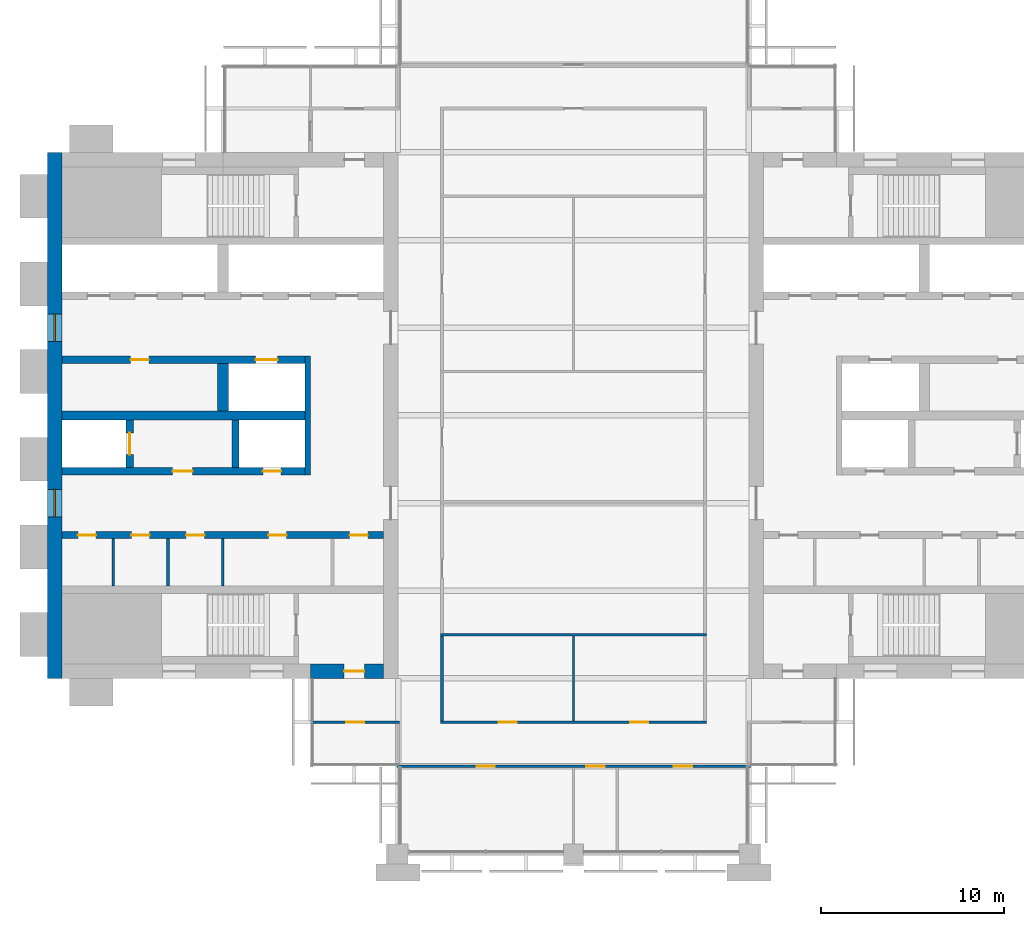
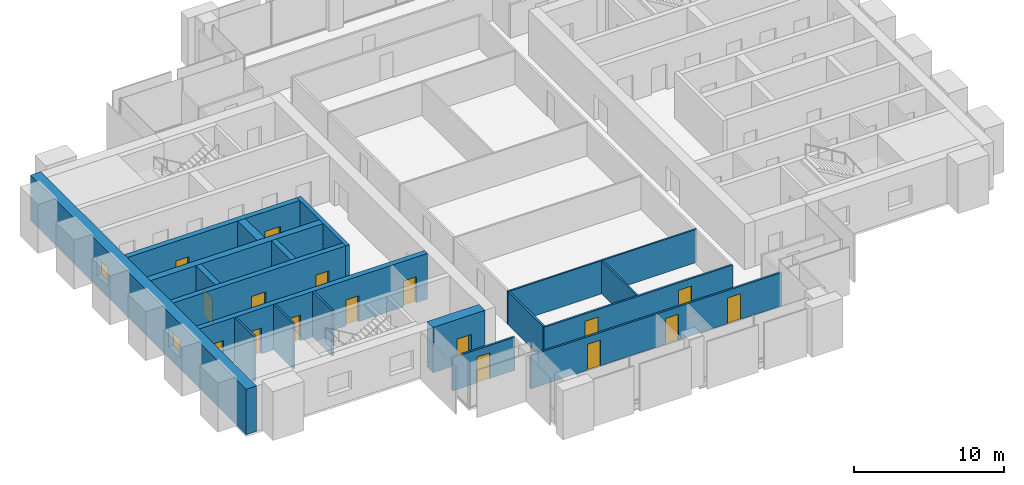
# One storey, part 8 of 13: 19 walls, 17 doors, 2 windows, 19 openings.
"""IFC4 building model written with IfcOpenShell, lengths in metres."""

from ifc_helpers import new_model, si_unit, direction, frame, frame_2d, origin, place, context, subcontext, project, spatial, rectangle, extrude, material, layer, layer_set, type_object, element, fill, save


model = new_model("IFC4")

# Units and contexts
model_context = context("Model", 3, precision=1e-05, world=origin(), true_north=direction((0.0, 1.0)))
body_context = subcontext(model_context, "Body", "Model", "MODEL_VIEW")
ifc_project = project(units=[si_unit("LENGTHUNIT", "METRE"), si_unit("AREAUNIT", "SQUARE_METRE"), si_unit("VOLUMEUNIT", "CUBIC_METRE"), si_unit("PLANEANGLEUNIT", "RADIAN"), si_unit("MASSUNIT", "GRAM", prefix="KILO")], contexts=[model_context])

# Site, building, storey
site_placement = place(None, origin())
site = spatial("IfcSite", under=ifc_project, at=site_placement, CompositionType="ELEMENT")
building_placement = place(site_placement, origin())
building = spatial("IfcBuilding", under=site, at=building_placement, Name="Baori Bourse Tower", CompositionType="ELEMENT")
storey_placement = place(building_placement, frame((0.0, 0.0, 261.199951171875)))
storey = spatial("IfcBuildingStorey", under=building, at=storey_placement, Name="L58", CompositionType="ELEMENT", Elevation=261.199951171875)

# Walls
ifc_material_1 = material(Name="Blockwork partition", Category="masonry")
ifc_layer_1 = layer(ifc_material_1, 0.14990234375)
ifc_layer_set_1 = layer_set([ifc_layer_1], Name="Core partition 150")
wall_type_1 = type_object("IfcWallType", Name="Core partition 150", PredefinedType="PARTITIONING", material=ifc_layer_set_1)
for number, where, z_axis, x_axis, name in (
    (1, (3.60009765625, 14.64990234375, 0.0), (0.0, 0.0, 1.0), (0.0, 1.0, 0.0), "Partition wall W09"),
    (2, (6.60009765625, 14.64990234375, 0.0), (0.0, 0.0, 1.0), (0.0, 1.0, 0.0), "Partition wall W10"),
    (3, (9.60009765625, 14.64990234375, 0.0), (0.0, 0.0, 1.0), (0.0, 1.0, 0.0), "Partition wall W11"),
):
    element("IfcWall", number, at=place(storey_placement, frame(where, z_axis=z_axis, x_axis=x_axis)), inside=storey, type_object=wall_type_1, Name=name, PredefinedType="PARTITIONING", context=body_context, shape_type="SweptSolid", body=[
        extrude(rectangle(XDim=2.60009765625, YDim=0.14990234375, at=frame_2d((1.300048828125, 0.0))), origin(), (0.0, 0.0, 1.0), 3.699951171875),
    ])

# Wall, openings, windows
ifc_material_2 = material(Name="Concrete f'c 50 MPa", Category="concrete")
ifc_layer_2 = layer(ifc_material_2, 0.800048828125)
ifc_layer_set_2 = layer_set([ifc_layer_2], Name="Core wall 800 f'c 50")
wall_type_2 = type_object("IfcWallType", Name="Core wall 800 f'c 50", PredefinedType="SHEAR", material=ifc_layer_set_2)
wall_1_placement = place(storey_placement, frame((0.39990234375, 9.60009765625, 0.0), z_axis=(0.0, 0.0, 1.0), x_axis=(0.0, 1.0, 0.0)))
wall_1 = element("IfcWall", 4, at=wall_1_placement, inside=storey, type_object=wall_type_2, Name="Core wall W01", PredefinedType="SHEAR", context=body_context, shape_type="SweptSolid", body=[
    extrude(rectangle(XDim=28.7998046875, YDim=0.800048828125, at=frame_2d((14.39990234375, 0.0))), origin(), (0.0, 0.0, 1.0), 3.699951171875),
])
opening_1_placement = place(wall_1_placement, frame((8.85009765625, 0.0, 0.89990234375)))
opening_1 = element("IfcOpeningElement", 5, at=opening_1_placement, cuts=wall_1, Name="Opening L58-KW101", PredefinedType="OPENING", context=body_context, shape_type="SweptSolid", body=[
    extrude(rectangle(XDim=1.5, YDim=1.5, at=frame_2d((0.75, 0.75))), frame((0.0, 0.409912109375, 0.0), z_axis=(0.0, -1.0, 0.0), x_axis=(1.0, 0.0, 0.0)), (0.0, 0.0, 1.0), 0.820068359375),
])
opening_2_placement = place(wall_1_placement, frame((18.449951171875, 0.0, 0.89990234375)))
opening_2 = element("IfcOpeningElement", 6, at=opening_2_placement, cuts=wall_1, Name="Opening L58-KW102", PredefinedType="OPENING", context=body_context, shape_type="SweptSolid", body=[
    extrude(rectangle(XDim=1.5, YDim=1.5, at=frame_2d((0.75, 0.75))), frame((0.0, 0.409912109375, 0.0), z_axis=(0.0, -1.0, 0.0), x_axis=(1.0, 0.0, 0.0)), (0.0, 0.0, 1.0), 0.820068359375),
])
ifc_material_3 = material(Name="Pale anodised aluminium", Category="aluminium")
window_type = type_object("IfcWindowType", Name="Lobby window 1500 x 1500", PartitioningType="SINGLE_PANEL", PredefinedType="WINDOW", material=ifc_material_3)
window_1_placement = place(opening_1_placement, origin())
window_1 = element("IfcWindow", 7, at=window_1_placement, inside=storey, type_object=window_type, Name="Outer wall window W L58 1", OverallHeight=1.5, OverallWidth=1.5, PartitioningType="SINGLE_PANEL", PredefinedType="WINDOW", context=body_context, shape_type="SweptSolid", body=[
    extrude(rectangle(XDim=1.5, YDim=1.5, at=frame_2d((0.75, 0.75))), frame((0.0, 0.030029296875, 0.0), z_axis=(0.0, -1.0, 0.0), x_axis=(1.0, 0.0, 0.0)), (0.0, 0.0, 1.0), 0.06005859375),
])
fill(opening_1, window_1)
window_2_placement = place(opening_2_placement, origin())
window_2 = element("IfcWindow", 8, at=window_2_placement, inside=storey, type_object=window_type, Name="Outer wall window W L58 2", OverallHeight=1.5, OverallWidth=1.5, PartitioningType="SINGLE_PANEL", PredefinedType="WINDOW", context=body_context, shape_type="SweptSolid", body=[
    extrude(rectangle(XDim=1.5, YDim=1.5, at=frame_2d((0.75, 0.75))), frame((0.0, 0.030029296875, 0.0), z_axis=(0.0, -1.0, 0.0), x_axis=(1.0, 0.0, 0.0)), (0.0, 0.0, 1.0), 0.06005859375),
])
fill(opening_2, window_2)

# Wall, opening, door
wall_2_placement = place(storey_placement, frame((18.39990234375, 10.0, 0.0), z_axis=(0.0, 0.0, 1.0), x_axis=(-1.0, 0.0, 0.0)))
wall_2 = element("IfcWall", 9, at=wall_2_placement, inside=storey, type_object=wall_type_2, Name="Core wall W03", PredefinedType="SHEAR", context=body_context, shape_type="SweptSolid", body=[
    extrude(rectangle(XDim=4.0, YDim=0.800048828125, at=frame_2d((2.0, 0.0))), origin(), (0.0, 0.0, 1.0), 3.699951171875),
])
opening_3_placement = place(wall_2_placement, frame((1.050048828125, 0.0, 0.0)))
opening_3 = element("IfcOpeningElement", 10, at=opening_3_placement, cuts=wall_2, Name="Opening L58-D102", PredefinedType="OPENING", context=body_context, shape_type="SweptSolid", body=[
    extrude(rectangle(XDim=1.10009765625, YDim=2.10009765625, at=frame_2d((0.550048828125, 1.050048828125))), frame((0.0, 0.409912109375, 0.0), z_axis=(0.0, -1.0, 0.0), x_axis=(1.0, 0.0, 0.0)), (0.0, 0.0, 1.0), 0.820068359375),
])
ifc_material_4 = material(Name="Painted steel door", Category="steel")
door_type_1 = type_object("IfcDoorType", Name="Stair door 1100", OperationType="SINGLE_SWING_LEFT", PredefinedType="DOOR", material=ifc_material_4)
door_1_placement = place(opening_3_placement, origin())
door_1 = element("IfcDoor", 11, at=door_1_placement, inside=storey, type_object=door_type_1, Name="Stair vestibule door A W L58", OperationType="SINGLE_SWING_LEFT", OverallHeight=2.10009765625, OverallWidth=1.10009765625, PredefinedType="DOOR", context=body_context, shape_type="SweptSolid", body=[
    extrude(rectangle(XDim=1.10009765625, YDim=2.10009765625, at=frame_2d((0.550048828125, 1.050048828125))), frame((0.0, 0.02490234375, 0.0), z_axis=(0.0, -1.0, 0.0), x_axis=(1.0, 0.0, 0.0)), (0.0, 0.0, 1.0), 0.050048828125),
])
fill(opening_3, door_1)

# Wall, openings, doors
ifc_material_5 = material(Name="Gypsum board partition")
ifc_layer_3 = layer(ifc_material_5, 0.14990234375)
ifc_layer_set_3 = layer_set([ifc_layer_3], Name="Corridor partition 150")
wall_type_3 = type_object("IfcWallType", Name="Corridor partition 150", PredefinedType="PARTITIONING", material=ifc_layer_set_3)
wall_3_placement = place(storey_placement, frame((19.125, 4.800048828125, 0.0), z_axis=(0.0, 0.0, 1.0), x_axis=(1.0, 0.0, 0.0)))
wall_3 = element("IfcWall", 12, at=wall_3_placement, inside=storey, type_object=wall_type_3, Name="Partition", PredefinedType="PARTITIONING", context=body_context, shape_type="SweptSolid", body=[
    extrude(rectangle(XDim=19.35009765625, YDim=0.14990234375, at=frame_2d((9.675048828125, 0.0))), origin(), (0.0, 0.0, 1.0), 2.70947265625),
])
opening_4_placement = place(wall_3_placement, frame((4.375, 0.0, 0.0)))
opening_4 = element("IfcOpeningElement", 13, at=opening_4_placement, cuts=wall_3, Name="Opening L58-D01", PredefinedType="OPENING", context=body_context, shape_type="SweptSolid", body=[
    extrude(rectangle(XDim=1.0, YDim=2.10009765625, at=frame_2d((0.5, 1.050048828125))), frame((0.0, 0.0849609375, 0.0), z_axis=(0.0, -1.0, 0.0), x_axis=(1.0, 0.0, 0.0)), (0.0, 0.0, 1.0), 0.169921875),
])
opening_5_placement = place(wall_3_placement, frame((10.375, 0.0, 0.0)))
opening_5 = element("IfcOpeningElement", 14, at=opening_5_placement, cuts=wall_3, Name="Opening L58-D02", PredefinedType="OPENING", context=body_context, shape_type="SweptSolid", body=[
    extrude(rectangle(XDim=1.0, YDim=2.10009765625, at=frame_2d((0.5, 1.050048828125))), frame((0.0, 0.0849609375, 0.0), z_axis=(0.0, -1.0, 0.0), x_axis=(1.0, 0.0, 0.0)), (0.0, 0.0, 1.0), 0.169921875),
])
opening_6_placement = place(wall_3_placement, frame((15.175048828125, 0.0, 0.0)))
opening_6 = element("IfcOpeningElement", 15, at=opening_6_placement, cuts=wall_3, Name="Opening L58-D03", PredefinedType="OPENING", context=body_context, shape_type="SweptSolid", body=[
    extrude(rectangle(XDim=1.0, YDim=2.10009765625, at=frame_2d((0.5, 1.050048828125))), frame((0.0, 0.0849609375, 0.0), z_axis=(0.0, -1.0, 0.0), x_axis=(1.0, 0.0, 0.0)), (0.0, 0.0, 1.0), 0.169921875),
])
ifc_material_6 = material(Name="Timber door leaf", Category="wood")
door_type_2 = type_object("IfcDoorType", Name="Door 1000 x 2100", OperationType="SINGLE_SWING_LEFT", PredefinedType="DOOR", material=ifc_material_6)
door_2_placement = place(opening_4_placement, origin())
door_2 = element("IfcDoor", 16, at=door_2_placement, inside=storey, type_object=door_type_2, Name="Door", OperationType="SINGLE_SWING_LEFT", OverallHeight=2.10009765625, OverallWidth=1.0, PredefinedType="DOOR", context=body_context, shape_type="SweptSolid", body=[
    extrude(rectangle(XDim=1.0, YDim=2.10009765625, at=frame_2d((0.5, 1.050048828125))), frame((0.0, 0.02490234375, 0.0), z_axis=(0.0, -1.0, 0.0), x_axis=(1.0, 0.0, 0.0)), (0.0, 0.0, 1.0), 0.050048828125),
])
fill(opening_4, door_2)
door_3_placement = place(opening_5_placement, origin())
door_3 = element("IfcDoor", 17, at=door_3_placement, inside=storey, type_object=door_type_2, Name="Door", OperationType="SINGLE_SWING_RIGHT", OverallHeight=2.10009765625, OverallWidth=1.0, PredefinedType="DOOR", context=body_context, shape_type="SweptSolid", body=[
    extrude(rectangle(XDim=1.0, YDim=2.10009765625, at=frame_2d((0.5, 1.050048828125))), frame((0.0, 0.02490234375, 0.0), z_axis=(0.0, -1.0, 0.0), x_axis=(1.0, 0.0, 0.0)), (0.0, 0.0, 1.0), 0.050048828125),
])
fill(opening_5, door_3)
door_4_placement = place(opening_6_placement, origin())
door_4 = element("IfcDoor", 18, at=door_4_placement, inside=storey, type_object=door_type_2, Name="Door", OperationType="SINGLE_SWING_RIGHT", OverallHeight=2.10009765625, OverallWidth=1.0, PredefinedType="DOOR", context=body_context, shape_type="SweptSolid", body=[
    extrude(rectangle(XDim=1.0, YDim=2.10009765625, at=frame_2d((0.5, 1.050048828125))), frame((0.0, 0.02490234375, 0.0), z_axis=(0.0, -1.0, 0.0), x_axis=(1.0, 0.0, 0.0)), (0.0, 0.0, 1.0), 0.050048828125),
])
fill(opening_6, door_4)

# Wall, opening, door
wall_4_placement = place(storey_placement, frame((14.5, 7.199951171875, 0.0), z_axis=(0.0, 0.0, 1.0), x_axis=(1.0, 0.0, 0.0)))
wall_4 = element("IfcWall", 19, at=wall_4_placement, inside=storey, type_object=wall_type_3, Name="Partition", PredefinedType="PARTITIONING", context=body_context, shape_type="SweptSolid", body=[
    extrude(rectangle(XDim=4.77490234375, YDim=0.14990234375, at=frame_2d((2.387451171875, 0.0))), origin(), (0.0, 0.0, 1.0), 2.70947265625),
])
opening_7_placement = place(wall_4_placement, frame((1.85009765625, 0.0, 0.0)))
opening_7 = element("IfcOpeningElement", 20, at=opening_7_placement, cuts=wall_4, Name="Opening L58-D04", PredefinedType="OPENING", context=body_context, shape_type="SweptSolid", body=[
    extrude(rectangle(XDim=1.0, YDim=2.10009765625, at=frame_2d((0.5, 1.050048828125))), frame((0.0, 0.0849609375, 0.0), z_axis=(0.0, -1.0, 0.0), x_axis=(1.0, 0.0, 0.0)), (0.0, 0.0, 1.0), 0.169921875),
])
door_5_placement = place(opening_7_placement, origin())
door_5 = element("IfcDoor", 21, at=door_5_placement, inside=storey, type_object=door_type_2, Name="Door", OperationType="SINGLE_SWING_LEFT", OverallHeight=2.10009765625, OverallWidth=1.0, PredefinedType="DOOR", context=body_context, shape_type="SweptSolid", body=[
    extrude(rectangle(XDim=1.0, YDim=2.10009765625, at=frame_2d((0.5, 1.050048828125))), frame((0.0, 0.02490234375, 0.0), z_axis=(0.0, -1.0, 0.0), x_axis=(1.0, 0.0, 0.0)), (0.0, 0.0, 1.0), 0.050048828125),
])
fill(opening_7, door_5)

# Wall, openings, doors
wall_5_placement = place(storey_placement, frame((21.52490234375, 7.199951171875, 0.0), z_axis=(0.0, 0.0, 1.0), x_axis=(1.0, 0.0, 0.0)))
wall_5 = element("IfcWall", 22, at=wall_5_placement, inside=storey, type_object=wall_type_3, Name="Partition", PredefinedType="PARTITIONING", context=body_context, shape_type="SweptSolid", body=[
    extrude(rectangle(XDim=14.550048828125, YDim=0.14990234375, at=frame_2d((7.27490234375, 0.0))), origin(), (0.0, 0.0, 1.0), 2.70947265625),
])
opening_8_placement = place(wall_5_placement, frame((3.175048828125, 0.0, 0.0)))
opening_8 = element("IfcOpeningElement", 23, at=opening_8_placement, cuts=wall_5, Name="Opening L58-D05", PredefinedType="OPENING", context=body_context, shape_type="SweptSolid", body=[
    extrude(rectangle(XDim=1.0, YDim=2.10009765625, at=frame_2d((0.5, 1.050048828125))), frame((0.0, 0.0849609375, 0.0), z_axis=(0.0, -1.0, 0.0), x_axis=(1.0, 0.0, 0.0)), (0.0, 0.0, 1.0), 0.169921875),
])
opening_9_placement = place(wall_5_placement, frame((10.375, 0.0, 0.0)))
opening_9 = element("IfcOpeningElement", 24, at=opening_9_placement, cuts=wall_5, Name="Opening L58-D06", PredefinedType="OPENING", context=body_context, shape_type="SweptSolid", body=[
    extrude(rectangle(XDim=1.0, YDim=2.10009765625, at=frame_2d((0.5, 1.050048828125))), frame((0.0, 0.0849609375, 0.0), z_axis=(0.0, -1.0, 0.0), x_axis=(1.0, 0.0, 0.0)), (0.0, 0.0, 1.0), 0.169921875),
])
door_6_placement = place(opening_8_placement, origin())
door_6 = element("IfcDoor", 25, at=door_6_placement, inside=storey, type_object=door_type_2, Name="Door", OperationType="SINGLE_SWING_RIGHT", OverallHeight=2.10009765625, OverallWidth=1.0, PredefinedType="DOOR", context=body_context, shape_type="SweptSolid", body=[
    extrude(rectangle(XDim=1.0, YDim=2.10009765625, at=frame_2d((0.5, 1.050048828125))), frame((0.0, 0.02490234375, 0.0), z_axis=(0.0, -1.0, 0.0), x_axis=(1.0, 0.0, 0.0)), (0.0, 0.0, 1.0), 0.050048828125),
])
fill(opening_8, door_6)
door_7_placement = place(opening_9_placement, origin())
door_7 = element("IfcDoor", 26, at=door_7_placement, inside=storey, type_object=door_type_2, Name="Door", OperationType="SINGLE_SWING_LEFT", OverallHeight=2.10009765625, OverallWidth=1.0, PredefinedType="DOOR", context=body_context, shape_type="SweptSolid", body=[
    extrude(rectangle(XDim=1.0, YDim=2.10009765625, at=frame_2d((0.5, 1.050048828125))), frame((0.0, 0.02490234375, 0.0), z_axis=(0.0, -1.0, 0.0), x_axis=(1.0, 0.0, 0.0)), (0.0, 0.0, 1.0), 0.050048828125),
])
fill(opening_9, door_7)

# Walls
wall_6_placement = place(storey_placement, frame((21.60009765625, 7.27490234375, 0.0), z_axis=(0.0, 0.0, 1.0), x_axis=(0.0, 1.0, 0.0)))
element("IfcWall", 27, at=wall_6_placement, inside=storey, type_object=wall_type_3, Name="Partition", PredefinedType="PARTITIONING", context=body_context, shape_type="SweptSolid", body=[
    extrude(rectangle(XDim=4.66259765625, YDim=0.14990234375, at=frame_2d((2.331298828125, 0.0))), origin(), (0.0, 0.0, 1.0), 2.70947265625),
])
ifc_material_7 = material(Name="Gypsum board partition")
ifc_layer_4 = layer(ifc_material_7, 0.125)
ifc_layer_set_4 = layer_set([ifc_layer_4], Name="Partition 125")
wall_type_4 = type_object("IfcWallType", Name="Partition 125", PredefinedType="PARTITIONING", material=ifc_layer_set_4)
wall_7_placement = place(storey_placement, frame((21.52490234375, 12.0, 0.0), z_axis=(0.0, 0.0, 1.0), x_axis=(1.0, 0.0, 0.0)))
element("IfcWall", 28, at=wall_7_placement, inside=storey, type_object=wall_type_4, Name="Partition", PredefinedType="PARTITIONING", context=body_context, shape_type="SweptSolid", body=[
    extrude(rectangle(XDim=14.550048828125, YDim=0.125, at=frame_2d((7.27490234375, 0.0))), origin(), (0.0, 0.0, 1.0), 2.70947265625),
])
wall_8_placement = place(storey_placement, frame((28.800048828125, 7.27490234375, 0.0), z_axis=(0.0, 0.0, 1.0), x_axis=(0.0, 1.0, 0.0)))
element("IfcWall", 29, at=wall_8_placement, inside=storey, type_object=wall_type_4, Name="Partition", PredefinedType="PARTITIONING", context=body_context, shape_type="SweptSolid", body=[
    extrude(rectangle(XDim=4.66259765625, YDim=0.125, at=frame_2d((2.331298828125, 0.0))), origin(), (0.0, 0.0, 1.0), 2.70947265625),
])
ifc_material_8 = material(Name="Concrete f'c 50 MPa", Category="concrete")
ifc_layer_5 = layer(ifc_material_8, 0.300048828125)
ifc_layer_set_5 = layer_set([ifc_layer_5], Name="Shaft wall 300 f'c 50")
wall_type_5 = type_object("IfcWallType", Name="Shaft wall 300 f'c 50", PredefinedType="SHEAR", material=ifc_layer_set_5)
wall_9_placement = place(storey_placement, frame((14.25, 20.75, 0.0), z_axis=(0.0, 0.0, 1.0), x_axis=(0.0, 1.0, 0.0)))
element("IfcWall", 30, at=wall_9_placement, inside=storey, type_object=wall_type_5, Name="Core wall W15", PredefinedType="SHEAR", context=body_context, shape_type="SweptSolid", body=[
    extrude(rectangle(XDim=6.5, YDim=0.300048828125, at=frame_2d((3.25, 0.0))), origin(), (0.0, 0.0, 1.0), 3.699951171875),
])

# Wall, openings, doors
ifc_material_9 = material(Name="Concrete f'c 50 MPa", Category="concrete")
ifc_layer_6 = layer(ifc_material_9, 0.39990234375)
ifc_layer_set_6 = layer_set([ifc_layer_6], Name="Shaft wall 400 f'c 50")
wall_type_6 = type_object("IfcWallType", Name="Shaft wall 400 f'c 50", PredefinedType="SHEAR", material=ifc_layer_set_6)
wall_10_placement = place(storey_placement, frame((0.800048828125, 17.449951171875, 0.0), z_axis=(0.0, 0.0, 1.0), x_axis=(1.0, 0.0, 0.0)))
wall_10 = element("IfcWall", 31, at=wall_10_placement, inside=storey, type_object=wall_type_6, Name="Core wall W13", PredefinedType="SHEAR", context=body_context, shape_type="SweptSolid", body=[
    extrude(rectangle(XDim=17.599853515625, YDim=0.39990234375, at=frame_2d((8.7998046875, 0.0))), origin(), (0.0, 0.0, 1.0), 3.699951171875),
])
opening_10_placement = place(wall_10_placement, frame((0.862548828125, 0.0, 0.0)))
opening_10 = element("IfcOpeningElement", 32, at=opening_10_placement, cuts=wall_10, Name="Opening L58-D109", PredefinedType="OPENING", context=body_context, shape_type="SweptSolid", body=[
    extrude(rectangle(XDim=1.0, YDim=2.10009765625, at=frame_2d((0.5, 1.050048828125))), frame((0.0, 0.2099609375, 0.0), z_axis=(0.0, -1.0, 0.0), x_axis=(1.0, 0.0, 0.0)), (0.0, 0.0, 1.0), 0.419921875),
])
opening_11_placement = place(wall_10_placement, frame((3.800048828125, 0.0, 0.0)))
opening_11 = element("IfcOpeningElement", 33, at=opening_11_placement, cuts=wall_10, Name="Opening L58-D110", PredefinedType="OPENING", context=body_context, shape_type="SweptSolid", body=[
    extrude(rectangle(XDim=1.0, YDim=2.10009765625, at=frame_2d((0.5, 1.050048828125))), frame((0.0, 0.2099609375, 0.0), z_axis=(0.0, -1.0, 0.0), x_axis=(1.0, 0.0, 0.0)), (0.0, 0.0, 1.0), 0.419921875),
])
opening_12_placement = place(wall_10_placement, frame((6.800048828125, 0.0, 0.0)))
opening_12 = element("IfcOpeningElement", 34, at=opening_12_placement, cuts=wall_10, Name="Opening L58-D111", PredefinedType="OPENING", context=body_context, shape_type="SweptSolid", body=[
    extrude(rectangle(XDim=1.0, YDim=2.10009765625, at=frame_2d((0.5, 1.050048828125))), frame((0.0, 0.2099609375, 0.0), z_axis=(0.0, -1.0, 0.0), x_axis=(1.0, 0.0, 0.0)), (0.0, 0.0, 1.0), 0.419921875),
])
opening_13_placement = place(wall_10_placement, frame((11.300048828125, 0.0, 0.0)))
opening_13 = element("IfcOpeningElement", 35, at=opening_13_placement, cuts=wall_10, Name="Opening L58-D112", PredefinedType="OPENING", context=body_context, shape_type="SweptSolid", body=[
    extrude(rectangle(XDim=1.0, YDim=2.10009765625, at=frame_2d((0.5, 1.050048828125))), frame((0.0, 0.2099609375, 0.0), z_axis=(0.0, -1.0, 0.0), x_axis=(1.0, 0.0, 0.0)), (0.0, 0.0, 1.0), 0.419921875),
])
opening_14_placement = place(wall_10_placement, frame((15.737548828125, 0.0, 0.0)))
opening_14 = element("IfcOpeningElement", 36, at=opening_14_placement, cuts=wall_10, Name="Opening L58-D113", PredefinedType="OPENING", context=body_context, shape_type="SweptSolid", body=[
    extrude(rectangle(XDim=1.0, YDim=2.10009765625, at=frame_2d((0.5, 1.050048828125))), frame((0.0, 0.2099609375, 0.0), z_axis=(0.0, -1.0, 0.0), x_axis=(1.0, 0.0, 0.0)), (0.0, 0.0, 1.0), 0.419921875),
])
ifc_material_10 = material(Name="Painted steel door", Category="steel")
door_type_3 = type_object("IfcDoorType", Name="Core door 1000", OperationType="SINGLE_SWING_LEFT", PredefinedType="DOOR", material=ifc_material_10)
door_8_placement = place(opening_10_placement, origin())
door_8 = element("IfcDoor", 37, at=door_8_placement, inside=storey, type_object=door_type_3, Name="Store Room door W L58", OperationType="SINGLE_SWING_LEFT", OverallHeight=2.10009765625, OverallWidth=1.0, PredefinedType="DOOR", context=body_context, shape_type="SweptSolid", body=[
    extrude(rectangle(XDim=1.0, YDim=2.10009765625, at=frame_2d((0.5, 1.050048828125))), frame((0.0, 0.02490234375, 0.0), z_axis=(0.0, -1.0, 0.0), x_axis=(1.0, 0.0, 0.0)), (0.0, 0.0, 1.0), 0.050048828125),
])
fill(opening_10, door_8)
door_9_placement = place(opening_11_placement, origin())
door_9 = element("IfcDoor", 38, at=door_9_placement, inside=storey, type_object=door_type_3, Name="Women'S Wc door W L58", OperationType="SINGLE_SWING_LEFT", OverallHeight=2.10009765625, OverallWidth=1.0, PredefinedType="DOOR", context=body_context, shape_type="SweptSolid", body=[
    extrude(rectangle(XDim=1.0, YDim=2.10009765625, at=frame_2d((0.5, 1.050048828125))), frame((0.0, 0.02490234375, 0.0), z_axis=(0.0, -1.0, 0.0), x_axis=(1.0, 0.0, 0.0)), (0.0, 0.0, 1.0), 0.050048828125),
])
fill(opening_11, door_9)
door_10_placement = place(opening_12_placement, origin())
door_10 = element("IfcDoor", 39, at=door_10_placement, inside=storey, type_object=door_type_3, Name="Accessible Wc door W L58", OperationType="SINGLE_SWING_LEFT", OverallHeight=2.10009765625, OverallWidth=1.0, PredefinedType="DOOR", context=body_context, shape_type="SweptSolid", body=[
    extrude(rectangle(XDim=1.0, YDim=2.10009765625, at=frame_2d((0.5, 1.050048828125))), frame((0.0, 0.02490234375, 0.0), z_axis=(0.0, -1.0, 0.0), x_axis=(1.0, 0.0, 0.0)), (0.0, 0.0, 1.0), 0.050048828125),
])
fill(opening_12, door_10)
door_11_placement = place(opening_13_placement, origin())
door_11 = element("IfcDoor", 40, at=door_11_placement, inside=storey, type_object=door_type_3, Name="Men'S Wc door W L58", OperationType="SINGLE_SWING_LEFT", OverallHeight=2.10009765625, OverallWidth=1.0, PredefinedType="DOOR", context=body_context, shape_type="SweptSolid", body=[
    extrude(rectangle(XDim=1.0, YDim=2.10009765625, at=frame_2d((0.5, 1.050048828125))), frame((0.0, 0.02490234375, 0.0), z_axis=(0.0, -1.0, 0.0), x_axis=(1.0, 0.0, 0.0)), (0.0, 0.0, 1.0), 0.050048828125),
])
fill(opening_13, door_11)
door_12_placement = place(opening_14_placement, origin())
door_12 = element("IfcDoor", 41, at=door_12_placement, inside=storey, type_object=door_type_3, Name="Pantry door W L58", OperationType="SINGLE_SWING_LEFT", OverallHeight=2.10009765625, OverallWidth=1.0, PredefinedType="DOOR", context=body_context, shape_type="SweptSolid", body=[
    extrude(rectangle(XDim=1.0, YDim=2.10009765625, at=frame_2d((0.5, 1.050048828125))), frame((0.0, 0.02490234375, 0.0), z_axis=(0.0, -1.0, 0.0), x_axis=(1.0, 0.0, 0.0)), (0.0, 0.0, 1.0), 0.050048828125),
])
fill(opening_14, door_12)

wall_11_placement = place(storey_placement, frame((0.800048828125, 20.949951171875, 0.0), z_axis=(0.0, 0.0, 1.0), x_axis=(1.0, 0.0, 0.0)))
wall_11 = element("IfcWall", 42, at=wall_11_placement, inside=storey, type_object=wall_type_6, Name="Core wall W14", PredefinedType="SHEAR", context=body_context, shape_type="SweptSolid", body=[
    extrude(rectangle(XDim=13.300048828125, YDim=0.39990234375, at=frame_2d((6.64990234375, 0.0))), origin(), (0.0, 0.0, 1.0), 3.699951171875),
])
opening_15_placement = place(wall_11_placement, frame((6.050048828125, 0.0, 0.0)))
opening_15 = element("IfcOpeningElement", 43, at=opening_15_placement, cuts=wall_11, Name="Opening L58-D105", PredefinedType="OPENING", context=body_context, shape_type="SweptSolid", body=[
    extrude(rectangle(XDim=1.10009765625, YDim=2.10009765625, at=frame_2d((0.550048828125, 1.050048828125))), frame((0.0, 0.2099609375, 0.0), z_axis=(0.0, -1.0, 0.0), x_axis=(1.0, 0.0, 0.0)), (0.0, 0.0, 1.0), 0.419921875),
])
opening_16_placement = place(wall_11_placement, frame((11.0, 0.0, 0.0)))
opening_16 = element("IfcOpeningElement", 44, at=opening_16_placement, cuts=wall_11, Name="Opening L58-D106", PredefinedType="OPENING", context=body_context, shape_type="SweptSolid", body=[
    extrude(rectangle(XDim=1.0, YDim=2.10009765625, at=frame_2d((0.5, 1.050048828125))), frame((0.0, 0.2099609375, 0.0), z_axis=(0.0, -1.0, 0.0), x_axis=(1.0, 0.0, 0.0)), (0.0, 0.0, 1.0), 0.419921875),
])
ifc_material_11 = material(Name="Painted steel door", Category="steel")
door_type_4 = type_object("IfcDoorType", Name="Lobby door 1100", OperationType="SINGLE_SWING_LEFT", PredefinedType="DOOR", material=ifc_material_11)
door_13_placement = place(opening_15_placement, origin())
door_13 = element("IfcDoor", 45, at=door_13_placement, inside=storey, type_object=door_type_4, Name="Firefighting lobby door W L58", OperationType="SINGLE_SWING_LEFT", OverallHeight=2.10009765625, OverallWidth=1.10009765625, PredefinedType="DOOR", context=body_context, shape_type="SweptSolid", body=[
    extrude(rectangle(XDim=1.10009765625, YDim=2.10009765625, at=frame_2d((0.550048828125, 1.050048828125))), frame((0.0, 0.02490234375, 0.0), z_axis=(0.0, -1.0, 0.0), x_axis=(1.0, 0.0, 0.0)), (0.0, 0.0, 1.0), 0.050048828125),
])
fill(opening_15, door_13)
ifc_material_12 = material(Name="Painted steel door", Category="steel")
door_type_5 = type_object("IfcDoorType", Name="Shaft door 1000", OperationType="SINGLE_SWING_LEFT", PredefinedType="DOOR", material=ifc_material_12)
door_14_placement = place(opening_16_placement, origin())
door_14 = element("IfcDoor", 46, at=door_14_placement, inside=storey, type_object=door_type_5, Name="Riser room door W L58", OperationType="SINGLE_SWING_LEFT", OverallHeight=2.10009765625, OverallWidth=1.0, PredefinedType="DOOR", context=body_context, shape_type="SweptSolid", body=[
    extrude(rectangle(XDim=1.0, YDim=2.10009765625, at=frame_2d((0.5, 1.050048828125))), frame((0.0, 0.02490234375, 0.0), z_axis=(0.0, -1.0, 0.0), x_axis=(1.0, 0.0, 0.0)), (0.0, 0.0, 1.0), 0.050048828125),
])
fill(opening_16, door_14)

# Wall, opening, door
wall_12_placement = place(storey_placement, frame((4.5, 21.14990234375, 0.0), z_axis=(0.0, 0.0, 1.0), x_axis=(0.0, 1.0, 0.0)))
wall_12 = element("IfcWall", 47, at=wall_12_placement, inside=storey, type_object=wall_type_6, Name="Core wall W16", PredefinedType="SHEAR", context=body_context, shape_type="SweptSolid", body=[
    extrude(rectangle(XDim=2.60009765625, YDim=0.39990234375, at=frame_2d((1.300048828125, 0.0))), origin(), (0.0, 0.0, 1.0), 3.699951171875),
])
opening_17_placement = place(wall_12_placement, frame((0.699951171875, 0.0, 0.0)))
opening_17 = element("IfcOpeningElement", 48, at=opening_17_placement, cuts=wall_12, Name="Opening L58-D122", PredefinedType="OPENING", context=body_context, shape_type="SweptSolid", body=[
    extrude(rectangle(XDim=1.199951171875, YDim=2.10009765625, at=frame_2d((0.60009765625, 1.050048828125))), frame((0.0, 0.2099609375, 0.0), z_axis=(0.0, -1.0, 0.0), x_axis=(1.0, 0.0, 0.0)), (0.0, 0.0, 1.0), 0.419921875),
])
ifc_material_13 = material(Name="Stainless steel door", Category="steel")
door_type_6 = type_object("IfcDoorType", Name="Lift landing door", OperationType="DOUBLE_DOOR_SLIDING", PredefinedType="DOOR", material=ifc_material_13)
door_15_placement = place(opening_17_placement, origin())
door_15 = element("IfcDoor", 49, at=door_15_placement, inside=storey, type_object=door_type_6, Name="Lift landing door FF1 W L58", OperationType="DOUBLE_DOOR_SLIDING", OverallHeight=2.10009765625, OverallWidth=1.199951171875, PredefinedType="DOOR", context=body_context, shape_type="SweptSolid", body=[
    extrude(rectangle(XDim=1.199951171875, YDim=2.10009765625, at=frame_2d((0.60009765625, 1.050048828125))), frame((0.0, 0.02490234375, 0.0), z_axis=(0.0, -1.0, 0.0), x_axis=(1.0, 0.0, 0.0)), (0.0, 0.0, 1.0), 0.050048828125),
])
fill(opening_17, door_15)

# Wall
wall_13_placement = place(storey_placement, frame((10.300048828125, 21.14990234375, 0.0), z_axis=(0.0, 0.0, 1.0), x_axis=(0.0, 1.0, 0.0)))
element("IfcWall", 50, at=wall_13_placement, inside=storey, type_object=wall_type_6, Name="Core wall W17", PredefinedType="SHEAR", context=body_context, shape_type="SweptSolid", body=[
    extrude(rectangle(XDim=2.60009765625, YDim=0.39990234375, at=frame_2d((1.300048828125, 0.0))), origin(), (0.0, 0.0, 1.0), 3.699951171875),
])

# Wall, openings, doors
wall_14_placement = place(storey_placement, frame((0.800048828125, 27.050048828125, 0.0), z_axis=(0.0, 0.0, 1.0), x_axis=(1.0, 0.0, 0.0)))
wall_14 = element("IfcWall", 51, at=wall_14_placement, inside=storey, type_object=wall_type_6, Name="Core wall W20", PredefinedType="SHEAR", context=body_context, shape_type="SweptSolid", body=[
    extrude(rectangle(XDim=13.300048828125, YDim=0.39990234375, at=frame_2d((6.64990234375, 0.0))), origin(), (0.0, 0.0, 1.0), 3.699951171875),
])
opening_18_placement = place(wall_14_placement, frame((3.75, 0.0, 0.0)))
opening_18 = element("IfcOpeningElement", 52, at=opening_18_placement, cuts=wall_14, Name="Opening L58-D114", PredefinedType="OPENING", context=body_context, shape_type="SweptSolid", body=[
    extrude(rectangle(XDim=1.0, YDim=2.10009765625, at=frame_2d((0.5, 1.050048828125))), frame((0.0, 0.2099609375, 0.0), z_axis=(0.0, -1.0, 0.0), x_axis=(1.0, 0.0, 0.0)), (0.0, 0.0, 1.0), 0.419921875),
])
opening_19_placement = place(wall_14_placement, frame((10.60009765625, 0.0, 0.0)))
opening_19 = element("IfcOpeningElement", 53, at=opening_19_placement, cuts=wall_14, Name="Opening L58-D121", PredefinedType="OPENING", context=body_context, shape_type="SweptSolid", body=[
    extrude(rectangle(XDim=1.199951171875, YDim=2.10009765625, at=frame_2d((0.60009765625, 1.050048828125))), frame((0.0, 0.2099609375, 0.0), z_axis=(0.0, -1.0, 0.0), x_axis=(1.0, 0.0, 0.0)), (0.0, 0.0, 1.0), 0.419921875),
])
door_16_placement = place(opening_18_placement, origin())
door_16 = element("IfcDoor", 54, at=door_16_placement, inside=storey, type_object=door_type_3, Name="Store Room door W L58", OperationType="SINGLE_SWING_LEFT", OverallHeight=2.10009765625, OverallWidth=1.0, PredefinedType="DOOR", context=body_context, shape_type="SweptSolid", body=[
    extrude(rectangle(XDim=1.0, YDim=2.10009765625, at=frame_2d((0.5, 1.050048828125))), frame((0.0, 0.02490234375, 0.0), z_axis=(0.0, -1.0, 0.0), x_axis=(1.0, 0.0, 0.0)), (0.0, 0.0, 1.0), 0.050048828125),
])
fill(opening_18, door_16)
door_17_placement = place(opening_19_placement, origin())
door_17 = element("IfcDoor", 55, at=door_17_placement, inside=storey, type_object=door_type_6, Name="Lift landing door SV1 W L58", OperationType="DOUBLE_DOOR_SLIDING", OverallHeight=2.10009765625, OverallWidth=1.199951171875, PredefinedType="DOOR", context=body_context, shape_type="SweptSolid", body=[
    extrude(rectangle(XDim=1.199951171875, YDim=2.10009765625, at=frame_2d((0.60009765625, 1.050048828125))), frame((0.0, 0.02490234375, 0.0), z_axis=(0.0, -1.0, 0.0), x_axis=(1.0, 0.0, 0.0)), (0.0, 0.0, 1.0), 0.050048828125),
])
fill(opening_19, door_17)

# Walls
ifc_material_14 = material(Name="Concrete f'c 50 MPa", Category="concrete")
ifc_layer_7 = layer(ifc_material_14, 0.5)
ifc_layer_set_7 = layer_set([ifc_layer_7], Name="Shaft wall 500 f'c 50")
wall_type_7 = type_object("IfcWallType", Name="Shaft wall 500 f'c 50", PredefinedType="SHEAR", material=ifc_layer_set_7)
wall_15_placement = place(storey_placement, frame((0.800048828125, 24.0, 0.0), z_axis=(0.0, 0.0, 1.0), x_axis=(1.0, 0.0, 0.0)))
element("IfcWall", 56, at=wall_15_placement, inside=storey, type_object=wall_type_7, Name="Core wall W18", PredefinedType="SHEAR", context=body_context, shape_type="SweptSolid", body=[
    extrude(rectangle(XDim=13.300048828125, YDim=0.5, at=frame_2d((6.64990234375, 0.0))), origin(), (0.0, 0.0, 1.0), 3.699951171875),
])
ifc_material_15 = material(Name="Concrete f'c 50 MPa", Category="concrete")
ifc_layer_8 = layer(ifc_material_15, 0.60009765625)
ifc_layer_set_8 = layer_set([ifc_layer_8], Name="Shaft wall 600 f'c 50")
wall_type_8 = type_object("IfcWallType", Name="Shaft wall 600 f'c 50", PredefinedType="SHEAR", material=ifc_layer_set_8)
wall_16_placement = place(storey_placement, frame((9.60009765625, 24.25, 0.0), z_axis=(0.0, 0.0, 1.0), x_axis=(0.0, 1.0, 0.0)))
element("IfcWall", 57, at=wall_16_placement, inside=storey, type_object=wall_type_8, Name="Core wall W19", PredefinedType="SHEAR", context=body_context, shape_type="SweptSolid", body=[
    extrude(rectangle(XDim=2.60009765625, YDim=0.60009765625, at=frame_2d((1.300048828125, 0.0))), origin(), (0.0, 0.0, 1.0), 3.699951171875),
])

save(model, "model.ifc")
